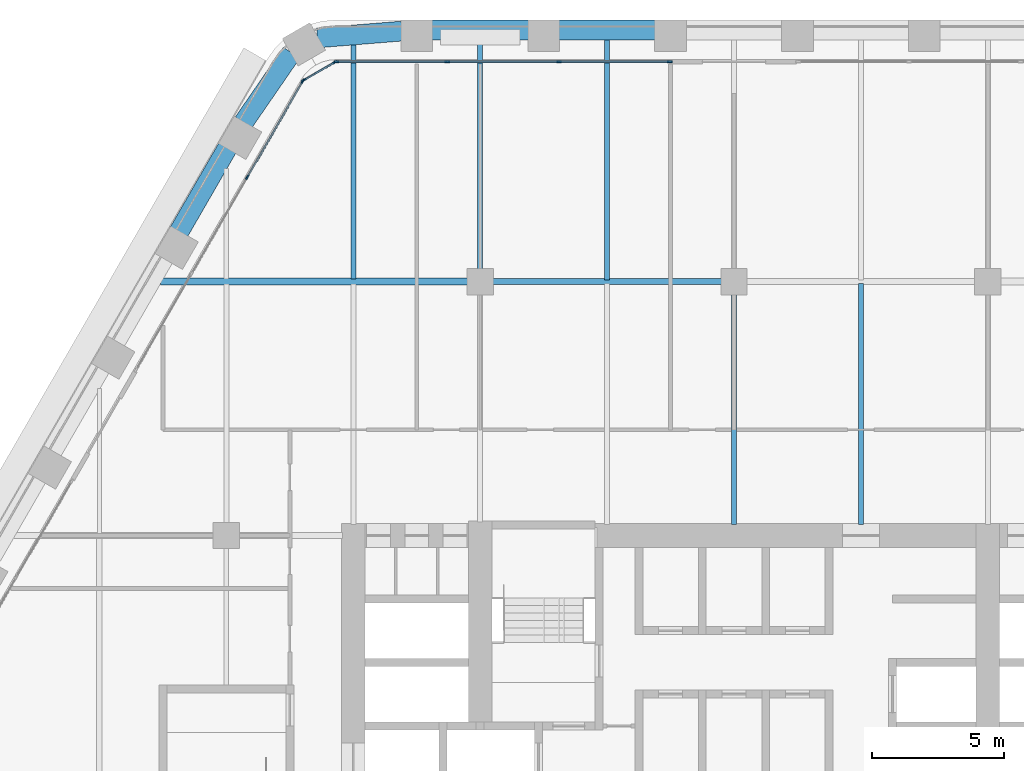
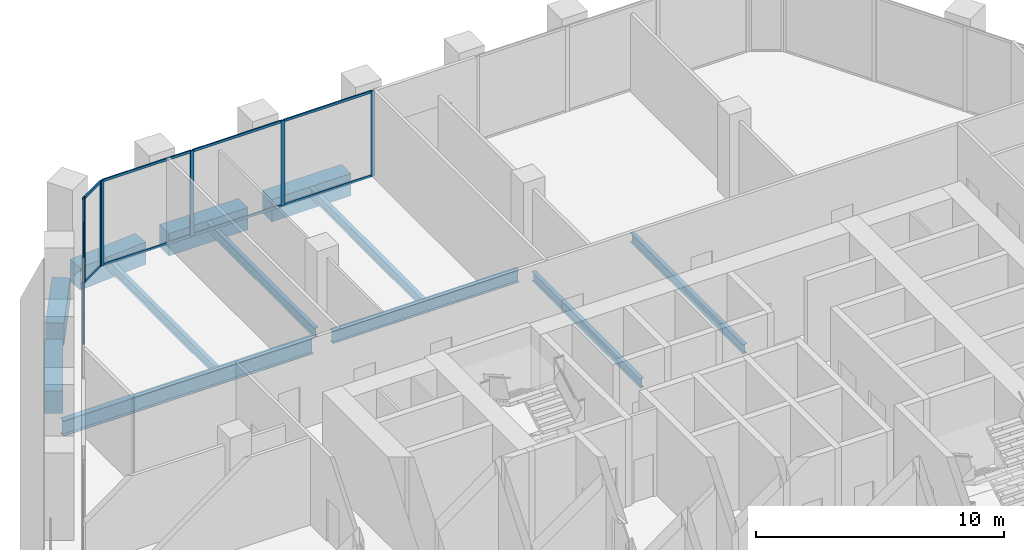
# One storey, part 8 of 24: 18 members, 12 beams, 3 elements without a shape of their own.
"""IFC4 building model written with IfcOpenShell, lengths in metres."""

from ifc_helpers import new_model, si_unit, direction, frame, origin, origin_2d, place, context, subcontext, project, spatial, rectangle, i_section, extrude, material, material_profile, profile_set, type_object, element, aggregate, save


model = new_model("IFC4")

# Units and contexts
model_context = context("Model", 3, precision=1e-05, world=origin(), true_north=direction((0.0, 1.0)))
body_context = subcontext(model_context, "Body", "Model", "MODEL_VIEW")
ifc_project = project(units=[si_unit("LENGTHUNIT", "METRE"), si_unit("AREAUNIT", "SQUARE_METRE"), si_unit("VOLUMEUNIT", "CUBIC_METRE"), si_unit("PLANEANGLEUNIT", "RADIAN"), si_unit("MASSUNIT", "GRAM", prefix="KILO")], contexts=[model_context])

# Site, building, storey
site_placement = place(None, origin())
site = spatial("IfcSite", under=ifc_project, at=site_placement, CompositionType="ELEMENT")
building_placement = place(site_placement, origin())
building = spatial("IfcBuilding", under=site, at=building_placement, Name="Kolab Exchange Tower", CompositionType="ELEMENT")
storey_placement = place(building_placement, frame((0.0, 0.0, 86.89990234375)))
storey = spatial("IfcBuildingStorey", under=building, at=storey_placement, Name="L16", CompositionType="ELEMENT", Elevation=86.89990234375)

# Beams
ifc_material_1 = material(Name="Steel S355", Category="steel")
ifc_material_profile_1 = material_profile(ifc_material_1, i_section(OverallWidth=0.18994140625, OverallDepth=0.45703125, WebThickness=0.009033203125, FlangeThickness=0.014404296875, at=origin_2d()), Name="W460X74")
ifc_profile_set_1 = profile_set([ifc_material_profile_1], Name="Steel S355")
beam_type_1 = type_object("IfcBeamType", Name="FLOOR BEAM W460X74", PredefinedType="BEAM", material=ifc_profile_set_1)
beam_1_placement = place(storey_placement, frame((-14.39990234375, 19.29345703125, -0.428466796875), z_axis=(0.0, 1.0, 0.0), x_axis=(-1.0, 0.0, 0.0)))
element("IfcBeam", 1, at=beam_1_placement, inside=storey, type_object=beam_type_1, Name="beam/L16/fr/015", PredefinedType="BEAM", context=body_context, shape_type="SweptSolid", body=[
    extrude(i_section(OverallWidth=0.18994140625, OverallDepth=0.45703125, WebThickness=0.009033203125, FlangeThickness=0.014404296875, at=origin_2d()), origin(), (0.0, 0.0, 1.0), 8.901123046875),
])
beam_2_placement = place(storey_placement, frame((-9.60009765625, 19.659912109375, -0.428466796875), z_axis=(0.0, 1.0, 0.0), x_axis=(-1.0, 0.0, 0.0)))
element("IfcBeam", 2, at=beam_2_placement, inside=storey, type_object=beam_type_1, Name="beam/L16/fr/019", PredefinedType="BEAM", context=body_context, shape_type="SweptSolid", body=[
    extrude(i_section(OverallWidth=0.18994140625, OverallDepth=0.45703125, WebThickness=0.009033203125, FlangeThickness=0.014404296875, at=origin_2d()), origin(), (0.0, 0.0, 1.0), 8.728515625),
])
beam_3_placement = place(storey_placement, frame((-4.800048828125, 19.27392578125, -0.428466796875), z_axis=(0.0, 1.0, 0.0), x_axis=(-1.0, 0.0, 0.0)))
element("IfcBeam", 3, at=beam_3_placement, inside=storey, type_object=beam_type_1, Name="beam/L16/fr/023", PredefinedType="BEAM", context=body_context, shape_type="SweptSolid", body=[
    extrude(i_section(OverallWidth=0.18994140625, OverallDepth=0.45703125, WebThickness=0.009033203125, FlangeThickness=0.014404296875, at=origin_2d()), origin(), (0.0, 0.0, 1.0), 9.114501953125),
])
beam_4_placement = place(storey_placement, frame((0.0, 10.010009765625, -0.428466796875), z_axis=(0.0, 1.0, 0.0), x_axis=(-1.0, 0.0, 0.0)))
element("IfcBeam", 4, at=beam_4_placement, inside=storey, type_object=beam_type_1, Name="beam/L16/fr/026", PredefinedType="BEAM", context=body_context, shape_type="SweptSolid", body=[
    extrude(i_section(OverallWidth=0.18994140625, OverallDepth=0.45703125, WebThickness=0.009033203125, FlangeThickness=0.014404296875, at=origin_2d()), origin(), (0.0, 0.0, 1.0), 8.72998046875),
])
beam_5_placement = place(storey_placement, frame((4.800048828125, 10.010009765625, -0.428466796875), z_axis=(0.0, 1.0, 0.0), x_axis=(-1.0, 0.0, 0.0)))
element("IfcBeam", 5, at=beam_5_placement, inside=storey, type_object=beam_type_1, Name="beam/L16/fr/030", PredefinedType="BEAM", context=body_context, shape_type="SweptSolid", body=[
    extrude(i_section(OverallWidth=0.18994140625, OverallDepth=0.45703125, WebThickness=0.009033203125, FlangeThickness=0.014404296875, at=origin_2d()), origin(), (0.0, 0.0, 1.0), 9.115966796875),
])
ifc_material_profile_2 = material_profile(ifc_material_1, i_section(OverallWidth=0.22802734375, OverallDepth=0.60791015625, WebThickness=0.01123046875, FlangeThickness=0.017333984375, at=origin_2d()), Name="W610X113")
ifc_profile_set_2 = profile_set([ifc_material_profile_2], Name="Steel S355")
beam_type_2 = type_object("IfcBeamType", Name="FLOOR GIRDER W610X113", PredefinedType="BEAM", material=ifc_profile_set_2)
beam_6_placement = place(storey_placement, frame((-9.139892578125, 19.199951171875, -0.50390625), z_axis=(1.0, 0.0, 0.0), x_axis=(0.0, 1.0, 0.0)))
element("IfcBeam", 6, at=beam_6_placement, inside=storey, type_object=beam_type_2, Name="beam/L16/gd/009", PredefinedType="BEAM", context=body_context, shape_type="SweptSolid", body=[
    extrude(i_section(OverallWidth=0.22802734375, OverallDepth=0.60791015625, WebThickness=0.01123046875, FlangeThickness=0.017333984375, at=origin_2d()), origin(), (0.0, 0.0, 1.0), 8.679931640625),
])
ifc_material_profile_3 = material_profile(ifc_material_1, i_section(OverallWidth=0.26708984375, OverallDepth=0.761962890625, WebThickness=0.014404296875, FlangeThickness=0.021484375, at=origin_2d()), Name="W760X173")
ifc_profile_set_3 = profile_set([ifc_material_profile_3], Name="Steel S355")
beam_type_3 = type_object("IfcBeamType", Name="FLOOR GIRDER W760X173", PredefinedType="BEAM", material=ifc_profile_set_3)
beam_7_placement = place(storey_placement, frame((-21.688720703125, 19.199951171875, -0.580810546875), z_axis=(1.0, 0.0, 0.0), x_axis=(0.0, 1.0, 0.0)))
element("IfcBeam", 7, at=beam_7_placement, inside=storey, type_object=beam_type_3, Name="beam/L16/gd/004", PredefinedType="BEAM", context=body_context, shape_type="SweptSolid", body=[
    extrude(i_section(OverallWidth=0.26708984375, OverallDepth=0.761962890625, WebThickness=0.014404296875, FlangeThickness=0.021484375, at=origin_2d()), origin(), (0.0, 0.0, 1.0), 11.628662109375),
])
ifc_material_2 = material(Name="Concrete C70/85", Category="concrete")
ifc_material_profile_4 = material_profile(ifc_material_2, rectangle(XDim=0.75, YDim=1.10009765625, at=origin_2d()), Name="RC750X1100")
ifc_profile_set_4 = profile_set([ifc_material_profile_4], Name="Concrete C70/85")
beam_type_4 = type_object("IfcBeamType", Name="SPANDREL BEAM 750X1100 C70/85", PredefinedType="BEAM", material=ifc_profile_set_4)
beam_8_placement = place(storey_placement, frame((-15.75830078125, 28.421630859375, -0.75), z_axis=(0.996791038408, 0.080047646748, 0.0), x_axis=(-0.080047646748, 0.996791038408, 0.0)))
element("IfcBeam", 8, at=beam_8_placement, inside=storey, type_object=beam_type_4, Name="beam/L16/sp/F1-01", PredefinedType="BEAM", context=body_context, shape_type="SweptSolid", body=[
    extrude(rectangle(XDim=0.75, YDim=1.10009765625, at=origin_2d()), origin(), (0.0, 0.0, 1.0), 3.20849609375),
])
for number, where, z_axis, x_axis, name in (
    (9, (-11.43994140625, 28.723388671875, -0.75), (1.0, 0.0, 0.0), (0.0, 1.0, 0.0), "beam/L16/sp/F1-02"),
    (10, (-6.639892578125, 28.723388671875, -0.75), (1.0, 0.0, 0.0), (0.0, 1.0, 0.0), "beam/L16/sp/F1-03"),
):
    element("IfcBeam", number, at=place(storey_placement, frame(where, z_axis=z_axis, x_axis=x_axis)), inside=storey, type_object=beam_type_4, Name=name, PredefinedType="BEAM", context=body_context, shape_type="SweptSolid", body=[
        extrude(rectangle(XDim=0.75, YDim=1.10009765625, at=origin_2d()), origin(), (0.0, 0.0, 1.0), 3.679931640625),
    ])
beam_9_placement = place(storey_placement, frame((-20.995361328125, 21.08203125, -0.75), z_axis=(0.500013413428, 0.866017659399, 0.0), x_axis=(-0.866017659399, 0.500013413428, 0.0)))
element("IfcBeam", 11, at=beam_9_placement, inside=storey, type_object=beam_type_4, Name="beam/L16/sp/F6-06", PredefinedType="BEAM", context=body_context, shape_type="SweptSolid", body=[
    extrude(rectangle(XDim=0.75, YDim=1.10009765625, at=origin_2d()), origin(), (0.0, 0.0, 1.0), 3.68017578125),
])
beam_10_placement = place(storey_placement, frame((-18.55615234375, 25.216552734375, -0.75), z_axis=(0.567661826262, 0.823261836237, 0.0), x_axis=(-0.823261836237, 0.567661826262, 0.0)))
element("IfcBeam", 12, at=beam_10_placement, inside=storey, type_object=beam_type_4, Name="beam/L16/sp/F6-07", PredefinedType="BEAM", context=body_context, shape_type="SweptSolid", body=[
    extrude(rectangle(XDim=0.75, YDim=1.10009765625, at=origin_2d()), origin(), (0.0, 0.0, 1.0), 3.20849609375),
])

# Curtain wall, members
ifc_material_3 = material(Name="Aluminium EN AW-6063 T6", Category="aluminium")
curtain_wall_type = type_object("IfcCurtainWallType", Name="UNITISED LOWER MID ZONE CURTAIN WALL", PredefinedType="NOTDEFINED", material=ifc_material_3)
curtain_wall_1_placement = place(storey_placement, origin())
curtain_wall_1 = element("IfcCurtainWall", 13, at=curtain_wall_1_placement, inside=storey, type_object=curtain_wall_type, Name="cw/L16/F1-1", PredefinedType="NOTDEFINED")
ifc_material_profile_5 = material_profile(ifc_material_3, rectangle(XDim=0.06005859375, YDim=0.179931640625, at=origin_2d()), Name="RECT 60X180")
ifc_profile_set_5 = profile_set([ifc_material_profile_5], Name="Aluminium EN AW-6063 T6")
member_type_1 = type_object("IfcMemberType", Name="UNITISED LOWER MID ZONE MULLION 60 X 180", PredefinedType="MULLION", material=ifc_profile_set_5)
member_1_placement = place(storey_placement, frame((-15.037841796875, 27.5185546875, 0.0), z_axis=(0.0, 0.0, 1.0), x_axis=(0.0, 1.0, 0.0)))
member_1 = element("IfcMember", 14, at=member_1_placement, type_object=member_type_1, Name="CW2 mullion 1", PredefinedType="MULLION", context=body_context, shape_type="SweptSolid", body=[
    extrude(rectangle(XDim=0.06005859375, YDim=0.179931640625, at=origin_2d()), origin(), (0.0, 0.0, 1.0), 4.2001953125),
])
member_2_placement = place(storey_placement, frame((-10.84521484375, 27.5185546875, 0.0), z_axis=(0.0, 0.0, 1.0), x_axis=(0.0, 1.0, 0.0)))
member_2 = element("IfcMember", 15, at=member_2_placement, type_object=member_type_1, Name="CW2 mullion 2", PredefinedType="MULLION", context=body_context, shape_type="SweptSolid", body=[
    extrude(rectangle(XDim=0.06005859375, YDim=0.179931640625, at=origin_2d()), origin(), (0.0, 0.0, 1.0), 4.2001953125),
])
member_3_placement = place(storey_placement, frame((-6.62255859375, 27.5185546875, 0.0), z_axis=(0.0, 0.0, 1.0), x_axis=(0.0, 1.0, 0.0)))
member_3 = element("IfcMember", 16, at=member_3_placement, type_object=member_type_1, Name="CW2 mullion 3", PredefinedType="MULLION", context=body_context, shape_type="SweptSolid", body=[
    extrude(rectangle(XDim=0.06005859375, YDim=0.179931640625, at=origin_2d()), origin(), (0.0, 0.0, 1.0), 4.2001953125),
])
member_4_placement = place(storey_placement, frame((-2.429931640625, 27.5185546875, 0.0), z_axis=(0.0, 0.0, 1.0), x_axis=(0.0, 1.0, 0.0)))
member_4 = element("IfcMember", 17, at=member_4_placement, type_object=member_type_1, Name="CW2 mullion 4", PredefinedType="MULLION", context=body_context, shape_type="SweptSolid", body=[
    extrude(rectangle(XDim=0.06005859375, YDim=0.179931640625, at=origin_2d()), origin(), (0.0, 0.0, 1.0), 4.2001953125),
])

curtain_wall_2_placement = place(storey_placement, origin())
curtain_wall_2 = element("IfcCurtainWall", 18, at=curtain_wall_2_placement, inside=storey, type_object=curtain_wall_type, Name="cw/L16/F6-2", PredefinedType="NOTDEFINED")
member_5_placement = place(storey_placement, frame((-18.408935546875, 23.151611328125, 0.0), z_axis=(0.0, 0.0, 1.0), x_axis=(-0.866025393644, 0.500000017564, 0.0)))
member_5 = element("IfcMember", 19, at=member_5_placement, type_object=member_type_1, Name="CW2 mullion 3", PredefinedType="MULLION", context=body_context, shape_type="SweptSolid", body=[
    extrude(rectangle(XDim=0.06005859375, YDim=0.179931640625, at=origin_2d()), origin(), (0.0, 0.0, 1.0), 4.2001953125),
])
member_6_placement = place(storey_placement, frame((-16.312744140625, 26.782470703125, 0.0), z_axis=(0.0, 0.0, 1.0), x_axis=(-0.866025393644, 0.500000017564, 0.0)))
member_6 = element("IfcMember", 20, at=member_6_placement, type_object=member_type_1, Name="CW2 mullion 4", PredefinedType="MULLION", context=body_context, shape_type="SweptSolid", body=[
    extrude(rectangle(XDim=0.06005859375, YDim=0.179931640625, at=origin_2d()), origin(), (0.0, 0.0, 1.0), 4.2001953125),
])

curtain_wall_3_placement = place(storey_placement, origin())
curtain_wall_3 = element("IfcCurtainWall", 21, at=curtain_wall_3_placement, inside=storey, type_object=curtain_wall_type, Name="cw/L16/F6F1-corner", PredefinedType="NOTDEFINED")
member_7_placement = place(storey_placement, frame((-16.271728515625, 26.823486328125, 0.0), z_axis=(0.0, 0.0, 1.0), x_axis=(-0.50000002237, 0.866025390869, 0.0)))
member_7 = element("IfcMember", 22, at=member_7_placement, type_object=member_type_1, Name="CW2 mullion 1", PredefinedType="MULLION", context=body_context, shape_type="SweptSolid", body=[
    extrude(rectangle(XDim=0.06005859375, YDim=0.179931640625, at=origin_2d()), origin(), (0.0, 0.0, 1.0), 4.2001953125),
])
member_8_placement = place(storey_placement, frame((-15.093994140625, 27.50341796875, 0.0), z_axis=(0.0, 0.0, 1.0), x_axis=(-0.50000002237, 0.866025390869, 0.0)))
member_8 = element("IfcMember", 23, at=member_8_placement, type_object=member_type_1, Name="CW2 mullion 2", PredefinedType="MULLION", context=body_context, shape_type="SweptSolid", body=[
    extrude(rectangle(XDim=0.06005859375, YDim=0.179931640625, at=origin_2d()), origin(), (0.0, 0.0, 1.0), 4.2001953125),
])

# Member
ifc_material_profile_6 = material_profile(ifc_material_3, rectangle(XDim=0.06005859375, YDim=0.1201171875, at=origin_2d()), Name="RECT 60X120")
ifc_profile_set_6 = profile_set([ifc_material_profile_6], Name="Aluminium EN AW-6063 T6")
member_type_2 = type_object("IfcMemberType", Name="UNITISED LOWER MID ZONE TRANSOM 60 X 120", PredefinedType="USERDEFINED", material=ifc_profile_set_6)
member_9_placement = place(storey_placement, frame((-15.008056640625, 27.5185546875, 0.030029296875), z_axis=(1.0, 0.0, 0.0), x_axis=(0.0, 1.0, 0.0)))
member_9 = element("IfcMember", 24, at=member_9_placement, type_object=member_type_2, Name="CW2 transom 1.1", ObjectType="TRANSOM", PredefinedType="USERDEFINED", context=body_context, shape_type="SweptSolid", body=[
    extrude(rectangle(XDim=0.06005859375, YDim=0.1201171875, at=origin_2d()), origin(), (0.0, 0.0, 1.0), 4.1328125),
])

member_10_placement = place(storey_placement, frame((-15.008056640625, 27.5185546875, 4.170166015625), z_axis=(1.0, 0.0, 0.0), x_axis=(0.0, 1.0, 0.0)))
member_10 = element("IfcMember", 25, at=member_10_placement, type_object=member_type_2, Name="CW2 transom 1.2", ObjectType="TRANSOM", PredefinedType="USERDEFINED", context=body_context, shape_type="SweptSolid", body=[
    extrude(rectangle(XDim=0.06005859375, YDim=0.1201171875, at=origin_2d()), origin(), (0.0, 0.0, 1.0), 4.1328125),
])

member_11_placement = place(storey_placement, frame((-10.815185546875, 27.5185546875, 0.030029296875), z_axis=(1.0, 0.0, 0.0), x_axis=(0.0, 1.0, 0.0)))
member_11 = element("IfcMember", 26, at=member_11_placement, type_object=member_type_2, Name="CW2 transom 2.1", ObjectType="TRANSOM", PredefinedType="USERDEFINED", context=body_context, shape_type="SweptSolid", body=[
    extrude(rectangle(XDim=0.06005859375, YDim=0.1201171875, at=origin_2d()), origin(), (0.0, 0.0, 1.0), 4.16259765625),
])

member_12_placement = place(storey_placement, frame((-10.815185546875, 27.5185546875, 4.170166015625), z_axis=(1.0, 0.0, 0.0), x_axis=(0.0, 1.0, 0.0)))
member_12 = element("IfcMember", 27, at=member_12_placement, type_object=member_type_2, Name="CW2 transom 2.2", ObjectType="TRANSOM", PredefinedType="USERDEFINED", context=body_context, shape_type="SweptSolid", body=[
    extrude(rectangle(XDim=0.06005859375, YDim=0.1201171875, at=origin_2d()), origin(), (0.0, 0.0, 1.0), 4.16259765625),
])

member_13_placement = place(storey_placement, frame((-6.592529296875, 27.5185546875, 0.030029296875), z_axis=(1.0, 0.0, 0.0), x_axis=(0.0, 1.0, 0.0)))
member_13 = element("IfcMember", 28, at=member_13_placement, type_object=member_type_2, Name="CW2 transom 3.1", ObjectType="TRANSOM", PredefinedType="USERDEFINED", context=body_context, shape_type="SweptSolid", body=[
    extrude(rectangle(XDim=0.06005859375, YDim=0.1201171875, at=origin_2d()), origin(), (0.0, 0.0, 1.0), 4.132568359375),
])

member_14_placement = place(storey_placement, frame((-6.592529296875, 27.5185546875, 4.170166015625), z_axis=(1.0, 0.0, 0.0), x_axis=(0.0, 1.0, 0.0)))
member_14 = element("IfcMember", 29, at=member_14_placement, type_object=member_type_2, Name="CW2 transom 3.2", ObjectType="TRANSOM", PredefinedType="USERDEFINED", context=body_context, shape_type="SweptSolid", body=[
    extrude(rectangle(XDim=0.06005859375, YDim=0.1201171875, at=origin_2d()), origin(), (0.0, 0.0, 1.0), 4.132568359375),
])

aggregate(curtain_wall_1, [member_1, member_2, member_3, member_4, member_9, member_10, member_11, member_12, member_13, member_14])

member_15_placement = place(storey_placement, frame((-18.39404296875, 23.177490234375, 0.030029296875), z_axis=(0.500001996123, 0.866024251319, 0.0), x_axis=(-0.866024251319, 0.500001996123, 0.0)))
member_15 = element("IfcMember", 30, at=member_15_placement, type_object=member_type_2, Name="CW2 transom 3.1", ObjectType="TRANSOM", PredefinedType="USERDEFINED", context=body_context, shape_type="SweptSolid", body=[
    extrude(rectangle(XDim=0.06005859375, YDim=0.1201171875, at=origin_2d()), origin(), (0.0, 0.0, 1.0), 4.1328125),
])

member_16_placement = place(storey_placement, frame((-18.39404296875, 23.177490234375, 4.170166015625), z_axis=(0.500001996123, 0.866024251319, 0.0), x_axis=(-0.866024251319, 0.500001996123, 0.0)))
member_16 = element("IfcMember", 31, at=member_16_placement, type_object=member_type_2, Name="CW2 transom 3.2", ObjectType="TRANSOM", PredefinedType="USERDEFINED", context=body_context, shape_type="SweptSolid", body=[
    extrude(rectangle(XDim=0.06005859375, YDim=0.1201171875, at=origin_2d()), origin(), (0.0, 0.0, 1.0), 4.1328125),
])

aggregate(curtain_wall_2, [member_5, member_6, member_15, member_16])

member_17_placement = place(storey_placement, frame((-16.245849609375, 26.83837890625, 0.030029296875), z_axis=(0.866004217611, 0.500036693733, 0.0), x_axis=(-0.500036693733, 0.866004217611, 0.0)))
member_17 = element("IfcMember", 32, at=member_17_placement, type_object=member_type_2, Name="CW2 transom 1.1", ObjectType="TRANSOM", PredefinedType="USERDEFINED", context=body_context, shape_type="SweptSolid", body=[
    extrude(rectangle(XDim=0.06005859375, YDim=0.1201171875, at=origin_2d()), origin(), (0.0, 0.0, 1.0), 1.30029296875),
])

member_18_placement = place(storey_placement, frame((-16.245849609375, 26.83837890625, 4.170166015625), z_axis=(0.866004217611, 0.500036693733, 0.0), x_axis=(-0.500036693733, 0.866004217611, 0.0)))
member_18 = element("IfcMember", 33, at=member_18_placement, type_object=member_type_2, Name="CW2 transom 1.2", ObjectType="TRANSOM", PredefinedType="USERDEFINED", context=body_context, shape_type="SweptSolid", body=[
    extrude(rectangle(XDim=0.06005859375, YDim=0.1201171875, at=origin_2d()), origin(), (0.0, 0.0, 1.0), 1.30029296875),
])

aggregate(curtain_wall_3, [member_7, member_8, member_17, member_18])

save(model, "model.ifc")
